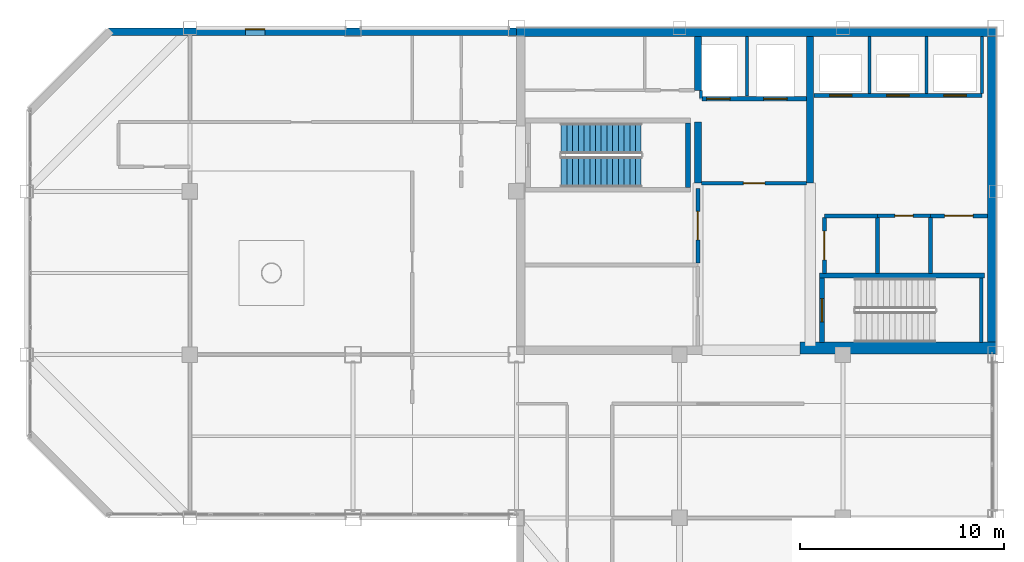
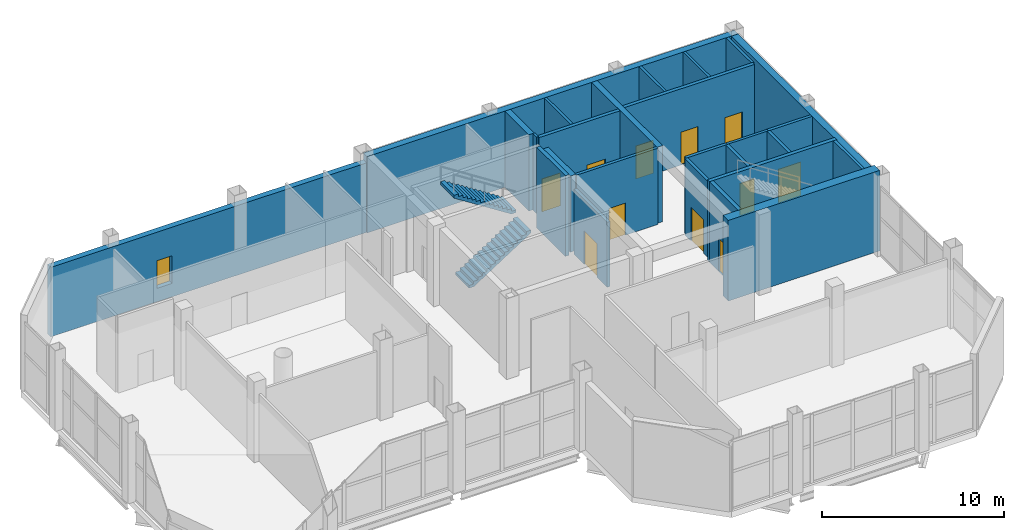
# One storey, part 13 of 17: 26 walls, 11 doors, 2 stair flights, 1 window, 12 openings, 1 element without a shape of its own.
"""IFC4 building model written with IfcOpenShell, lengths in metres."""

import ifcopenshell
import ifcopenshell.guid

model = None  # the IFC model being written
_history = None  # IfcOwnerHistory: only IFC2X3 demands one
_inside = {}  # id of a spatial element -> (the spatial element, [elements in it])
_under = {}  # id of a project, library or spatial element -> (it, [spatial elements below it])
_declared = {}  # id of a project -> (the project, [libraries it declares])
_typed = {}  # id of a type object -> (the type object, [elements of that type])
_made_of = {}  # id of a material, layer set ... -> (it, [elements and type objects made of it])


def new_model(schema):
    """Start an empty IFC model of exactly this schema.

    Asked for "IFC4X3", IfcOpenShell would pick the latest addendum, in which some entities
    have other attributes; the version numbers below select the first issue.
    IFC2X3 requires an IfcOwnerHistory on every rooted entity: one is made here for all.
    """
    global model, _history
    if schema == "IFC4X3":
        model = ifcopenshell.file(schema_version=(4, 3, 0, 0))
    else:
        model = ifcopenshell.file(schema=schema)
    _inside.clear()
    _under.clear()
    _declared.clear()
    _typed.clear()
    _made_of.clear()
    _history = None
    if model.schema == "IFC2X3":
        org = make("IfcOrganization", Name="unknown")
        user = make(
            "IfcPersonAndOrganization",
            ThePerson=make("IfcPerson", FamilyName="unknown"),
            TheOrganization=org,
        )
        app = make(
            "IfcApplication",
            ApplicationDeveloper=org,
            Version="unknown",
            ApplicationFullName="unknown",
            ApplicationIdentifier="unknown",
        )
        _history = make(
            "IfcOwnerHistory",
            OwningUser=user,
            OwningApplication=app,
            ChangeAction="ADDED",
            CreationDate=0,
        )
    return model


def make(cls, **values):
    """One entity of the class cls with the attributes given. An attribute that is None is left unset."""
    return model.create_entity(
        cls, **{name: value for name, value in values.items() if value is not None}
    )


def rooted(cls, **values):
    """An entity with a GlobalId (a new one), such as an element, a storey or a relation."""
    return make(cls, GlobalId=ifcopenshell.guid.new(), OwnerHistory=_history, **values)


def si_unit(unit_type, name, prefix=None):
    """IfcSIUnit, for example si_unit("LENGTHUNIT", "METRE", prefix="MILLI")."""
    return make("IfcSIUnit", UnitType=unit_type, Prefix=prefix, Name=name)


def assignment(units):
    """IfcUnitAssignment: the units of a project."""
    return None if units is None else make("IfcUnitAssignment", Units=units)


def point(xyz):
    """IfcCartesianPoint."""
    return None if xyz is None else make("IfcCartesianPoint", Coordinates=xyz)


def direction(xyz):
    """IfcDirection."""
    return None if xyz is None else make("IfcDirection", DirectionRatios=xyz)


def frame(location, z_axis=None, x_axis=None):
    """IfcAxis2Placement3D, a coordinate frame: its origin and axes. An axis left out is left unset."""
    return make(
        "IfcAxis2Placement3D",
        Location=point(location),
        Axis=direction(z_axis),
        RefDirection=direction(x_axis),
    )


def frame_2d(location, x_axis=None):
    """IfcAxis2Placement2D, a coordinate frame in the plane: its origin and x axis."""
    return make(
        "IfcAxis2Placement2D", Location=point(location), RefDirection=direction(x_axis)
    )


def origin():
    """The frame at (0, 0, 0) with its axes left unset."""
    return frame((0.0, 0.0, 0.0))


def place(relative_to, where):
    """IfcLocalPlacement: puts the frame where relative to a parent placement (None: the world)."""
    return make(
        "IfcLocalPlacement", PlacementRelTo=relative_to, RelativePlacement=where
    )


def context(
    kind, dimensions, precision=None, world=None, true_north=None, identifier=None
):
    """IfcGeometricRepresentationContext, for example the 3D "Model" context."""
    return make(
        "IfcGeometricRepresentationContext",
        ContextIdentifier=identifier,
        ContextType=kind,
        CoordinateSpaceDimension=dimensions,
        Precision=precision,
        WorldCoordinateSystem=world,
        TrueNorth=true_north,
    )


def subcontext(parent, identifier, kind, view, scale=None):
    """IfcGeometricRepresentationSubContext, for example "Body" below "Model"."""
    return make(
        "IfcGeometricRepresentationSubContext",
        ContextIdentifier=identifier,
        ContextType=kind,
        ParentContext=parent,
        TargetScale=scale,
        TargetView=view,
    )


def project(units=None, contexts=None):
    """IfcProject with its units and contexts."""
    return rooted(
        "IfcProject",
        Name="project",
        RepresentationContexts=contexts,
        UnitsInContext=assignment(units),
    )


def spatial(cls, under=None, at=None, **own):
    """A site, building, storey or space (cls), placed at a placement, below another one or the project."""
    s = rooted(cls, ObjectPlacement=at, **own)
    if under is not None:
        _under.setdefault(under.id(), (under, []))[1].append(s)
    return s


def polyline(points):
    """IfcPolyline through the points."""
    return make("IfcPolyline", Points=[point(p) for p in points])


def profile(cls, at=None, kind="AREA", **sizes):
    """A parametric profile (cls). Its sizes go by their IFC names, for example OverallWidth=200.0."""
    return make(cls, ProfileType=kind, Position=at, **sizes)


def rectangle(**sizes):
    """IfcRectangleProfileDef."""
    return profile("IfcRectangleProfileDef", **sizes)


def outline(outer, holes=None, kind="AREA"):
    """IfcArbitraryClosedProfileDef: a profile drawn as a closed curve; with holes, ...WithVoids."""
    if holes is None:
        return make("IfcArbitraryClosedProfileDef", ProfileType=kind, OuterCurve=outer)
    return make(
        "IfcArbitraryProfileDefWithVoids",
        ProfileType=kind,
        OuterCurve=outer,
        InnerCurves=holes,
    )


def extrude(swept, where, along, depth):
    """IfcExtrudedAreaSolid: the profile swept, set in the frame where, extruded along a direction by depth."""
    return make(
        "IfcExtrudedAreaSolid",
        SweptArea=swept,
        Position=where,
        ExtrudedDirection=direction(along),
        Depth=depth,
    )


def shape(context_of_items, identifier, shape_type, items):
    """IfcShapeRepresentation: the items that make up one representation, for example the "Body"."""
    return make(
        "IfcShapeRepresentation",
        ContextOfItems=context_of_items,
        RepresentationIdentifier=identifier,
        RepresentationType=shape_type,
        Items=items,
    )


def material(Name=None, Category=None):
    """IfcMaterial."""
    return make("IfcMaterial", Name=Name, Category=Category)


def layer(
    of_material, thickness, ventilated=None, Name=None, Category=None, Priority=None
):
    """IfcMaterialLayer: one layer of a wall or slab, of a material (None: an air gap)."""
    return make(
        "IfcMaterialLayer",
        Material=of_material,
        LayerThickness=thickness,
        IsVentilated=ventilated,
        Name=Name,
        Category=Category,
        Priority=Priority,
    )


def layer_set(layers, Name=None):
    """IfcMaterialLayerSet."""
    return make("IfcMaterialLayerSet", MaterialLayers=layers, LayerSetName=Name)


def made_of(thing, what):
    """Note that an element or type object is made of a material, layer set ...; save() writes the relation."""
    if what is not None:
        _made_of.setdefault(what.id(), (what, []))[1].append(thing)
    return thing


def type_object(cls, material=None, **own):
    """A type object (cls), such as IfcWallType, which elements share."""
    return made_of(rooted(cls, **own), material)


def element(
    cls,
    number,
    at=None,
    inside=None,
    cuts=None,
    type_object=None,
    material=None,
    context=None,
    identifier="Body",
    shape_type=None,
    held_by="IfcProductDefinitionShape",
    body=None,
    shapes=None,
    **own,
):
    """One element of the class cls, such as IfcWall. Its Tag is "e" and its number.

    at: its placement. inside: the storey or other place that contains it. cuts: it is an
    opening in that element (IfcRelVoidsElement). A single representation is given by context,
    identifier, shape_type and body (its items); several are given by shapes. held_by: the class
    of the entity that holds the representations. save() writes the other relations.
    """
    e = rooted(cls, Tag="e%d" % number, ObjectPlacement=at, **own)
    if body is not None:
        shapes = [shape(context, identifier, shape_type, body)]
    if shapes is not None:
        e.Representation = make(held_by, Representations=shapes)
    if inside is not None:
        _inside.setdefault(inside.id(), (inside, []))[1].append(e)
    if cuts is not None:
        rooted(
            "IfcRelVoidsElement", RelatingBuildingElement=cuts, RelatedOpeningElement=e
        )
    if type_object is not None:
        _typed.setdefault(type_object.id(), (type_object, []))[1].append(e)
    return made_of(e, material)


def fill(opening, filler):
    """IfcRelFillsElement: the door or window that sits in an opening."""
    return rooted(
        "IfcRelFillsElement",
        RelatingOpeningElement=opening,
        RelatedBuildingElement=filler,
    )


def aggregate(whole, parts):
    """IfcRelAggregates: a whole, such as a stair, and the parts it consists of."""
    return rooted("IfcRelAggregates", RelatingObject=whole, RelatedObjects=parts)


def save(model, path):
    """Write the relations noted so far, then the file.

    IfcRelAggregates (storeys below a building ...), IfcRelContainedInSpatialStructure (elements
    in a storey), IfcRelDefinesByType, IfcRelAssociatesMaterial and IfcRelDeclares: one each for
    every whole, place, type object, material and project.
    """
    for whole, parts in _under.values():
        aggregate(whole, parts)
    for where, things in _inside.values():
        rooted(
            "IfcRelContainedInSpatialStructure",
            RelatedElements=things,
            RelatingStructure=where,
        )
    for kind, things in _typed.values():
        rooted("IfcRelDefinesByType", RelatedObjects=things, RelatingType=kind)
    for what, things in _made_of.values():
        rooted("IfcRelAssociatesMaterial", RelatedObjects=things, RelatingMaterial=what)
    for by, libraries in _declared.values():
        rooted("IfcRelDeclares", RelatingContext=by, RelatedDefinitions=libraries)
    model.write(path)


model = new_model("IFC4")

# Units and contexts
model_context = context("Model", 3, precision=1e-05, world=origin(), true_north=direction((0.0, 1.0)))
body_context = subcontext(model_context, "Body", "Model", "MODEL_VIEW")
ifc_project = project(units=[si_unit("LENGTHUNIT", "METRE"), si_unit("AREAUNIT", "SQUARE_METRE"), si_unit("VOLUMEUNIT", "CUBIC_METRE"), si_unit("PLANEANGLEUNIT", "RADIAN"), si_unit("MASSUNIT", "GRAM", prefix="KILO")], contexts=[model_context])

# Site, building, storey
site_placement = place(None, origin())
site = spatial("IfcSite", under=ifc_project, at=site_placement, CompositionType="ELEMENT")
building_placement = place(site_placement, origin())
building = spatial("IfcBuilding", under=site, at=building_placement, Name="Qianrong Seaharbour Tower", CompositionType="ELEMENT")
storey_placement = place(building_placement, frame((0.0, 0.0, 373.0)))
storey = spatial("IfcBuildingStorey", under=building, at=storey_placement, Name="L90", CompositionType="ELEMENT", Elevation=373.0)

# Walls
ifc_material_1 = material(Name="Concrete C50/60", Category="concrete")
ifc_layer_1 = layer(ifc_material_1, 0.419921875)
ifc_layer_set_1 = layer_set([ifc_layer_1], Name="Concrete C50/60")
wall_type_1 = type_object("IfcWallType", Name="WALL-CORE-420", PredefinedType="SHEAR", material=ifc_layer_set_1)
wall_1_placement = place(storey_placement, frame((40.5, 51.7900390625, 0.0), z_axis=(0.0, 0.0, 1.0), x_axis=(1.0, 0.0, 0.0)))
element("IfcWall", 1, at=wall_1_placement, inside=storey, type_object=wall_type_1, Name="L90 North Core Shear Wall", PredefinedType="SHEAR", context=body_context, shape_type="SweptSolid", body=[
    extrude(rectangle(XDim=23.5, YDim=0.419921875, at=frame_2d((11.75, 0.0))), origin(), (0.0, 0.0, 1.0), 5.110107421875),
])
wall_2_placement = place(storey_placement, frame((63.7900390625, 36.320068359375, 0.0), z_axis=(0.0, 0.0, 1.0), x_axis=(0.0, 1.0, 0.0)))
element("IfcWall", 2, at=wall_2_placement, inside=storey, type_object=wall_type_1, Name="L90 East Core Shear Wall", PredefinedType="SHEAR", context=body_context, shape_type="SweptSolid", body=[
    extrude(rectangle(XDim=15.260009765625, YDim=0.419921875, at=frame_2d((7.6298828125, 0.0))), origin(), (0.0, 0.0, 1.0), 5.110107421875),
])
ifc_material_2 = material(Name="Concrete C70/85", Category="concrete")
ifc_layer_2 = layer(ifc_material_2, 0.580078125)
ifc_layer_set_2 = layer_set([ifc_layer_2], Name="Concrete C70/85")
wall_type_2 = type_object("IfcWallType", Name="WALL-CORE-580", PredefinedType="SHEAR", material=ifc_layer_set_2)
wall_3_placement = place(storey_placement, frame((54.39990234375, 36.320068359375, 0.0), z_axis=(0.0, 0.0, 1.0), x_axis=(1.0, 0.0, 0.0)))
element("IfcWall", 3, at=wall_3_placement, inside=storey, type_object=wall_type_2, Name="L90 South Core Shear Wall S3", PredefinedType="SHEAR", context=body_context, shape_type="SweptSolid", body=[
    extrude(rectangle(XDim=9.60009765625, YDim=0.580078125, at=frame_2d((4.800048828125, 0.0))), origin(), (0.0, 0.0, 1.0), 5.39990234375),
])
ifc_layer_3 = layer(ifc_material_1, 0.35009765625)
ifc_layer_set_3 = layer_set([ifc_layer_3], Name="Concrete C50/60")
wall_type_3 = type_object("IfcWallType", Name="WALL-CORE-INT-350", PredefinedType="SHEAR", material=ifc_layer_set_3)
wall_4_placement = place(storey_placement, frame((49.39990234375, 44.39990234375, 0.0), z_axis=(0.0, 0.0, 1.0), x_axis=(0.0, 1.0, 0.0)))
element("IfcWall", 4, at=wall_4_placement, inside=storey, type_object=wall_type_3, Name="L90 Internal Core Shear Wall IW1N1", PredefinedType="SHEAR", context=body_context, shape_type="SweptSolid", body=[
    extrude(rectangle(XDim=3.0, YDim=0.35009765625, at=frame_2d((1.5, 0.0))), origin(), (0.0, 0.0, 1.0), 5.110107421875),
])
wall_5_placement = place(storey_placement, frame((49.39990234375, 48.949951171875, 0.0), z_axis=(0.0, 0.0, 1.0), x_axis=(0.0, 1.0, 0.0)))
element("IfcWall", 5, at=wall_5_placement, inside=storey, type_object=wall_type_3, Name="L90 Internal Core Shear Wall IW1N2", PredefinedType="SHEAR", context=body_context, shape_type="SweptSolid", body=[
    extrude(rectangle(XDim=2.630126953125, YDim=0.35009765625, at=frame_2d((1.31494140625, 0.0))), origin(), (0.0, 0.0, 1.0), 5.110107421875),
])
wall_6_placement = place(storey_placement, frame((54.89990234375, 44.39990234375, 0.0), z_axis=(0.0, 0.0, 1.0), x_axis=(0.0, 1.0, 0.0)))
element("IfcWall", 6, at=wall_6_placement, inside=storey, type_object=wall_type_3, Name="L90 Internal Core Shear Wall IW2N", PredefinedType="SHEAR", context=body_context, shape_type="SweptSolid", body=[
    extrude(rectangle(XDim=7.18017578125, YDim=0.35009765625, at=frame_2d((3.590087890625, 0.0))), origin(), (0.0, 0.0, 1.0), 5.110107421875),
])

# Wall, opening, door
ifc_material_3 = material(Name="Fire-rated acoustic gypsum board partition")
ifc_layer_4 = layer(ifc_material_3, 0.1650390625)
ifc_layer_set_4 = layer_set([ifc_layer_4], Name="Fire-rated acoustic gypsum board partition")
wall_type_4 = type_object("IfcWallType", Name="WALL-CORR-PART-165", PredefinedType="PARTITIONING", material=ifc_layer_set_4)
wall_7_placement = place(storey_placement, frame((60.800048828125, 42.800048828125, 0.0), z_axis=(0.0, 0.0, 1.0), x_axis=(-1.0, 0.0, 0.0)))
wall_7 = element("IfcWall", 7, at=wall_7_placement, inside=storey, type_object=wall_type_4, Name="L90 Interior Partition Wall 015", PredefinedType="PARTITIONING", context=body_context, shape_type="SweptSolid", body=[
    extrude(rectangle(XDim=2.60009765625, YDim=0.1650390625, at=frame_2d((1.300048828125, 0.0))), origin(), (0.0, 0.0, 1.0), 5.110107421875),
])
opening_1_placement = place(wall_7_placement, frame((0.85009765625, 0.0, 0.0)))
opening_1 = element("IfcOpeningElement", 8, at=opening_1_placement, cuts=wall_7, Name="Opening DS-01", PredefinedType="OPENING", context=body_context, shape_type="SweptSolid", body=[
    extrude(rectangle(XDim=0.89990234375, YDim=2.14990234375, at=frame_2d((0.449951171875, 1.074951171875))), frame((0.0, 0.092529296875, 0.0), z_axis=(0.0, -1.0, 0.0), x_axis=(1.0, 0.0, 0.0)), (0.0, 0.0, 1.0), 0.18505859375),
])
ifc_material_4 = material(Name="Acoustic timber and galvanized steel fire door assembly", Category="steel")
door_type_1 = type_object("IfcDoorType", Name="DOOR-STORE-900x2150", OperationType="NOTDEFINED", PredefinedType="DOOR", material=ifc_material_4)
door_1_placement = place(opening_1_placement, origin())
door_1 = element("IfcDoor", 9, at=door_1_placement, inside=storey, type_object=door_type_1, Name="L90 Supply Store Room Door", OperationType="SINGLE_SWING_LEFT", OverallHeight=2.14990234375, OverallWidth=0.89990234375, PredefinedType="DOOR", context=body_context, shape_type="SweptSolid", body=[
    extrude(rectangle(XDim=0.89990234375, YDim=2.14990234375, at=frame_2d((0.449951171875, 1.074951171875))), frame((0.0, 0.02490234375, 0.0), z_axis=(0.0, -1.0, 0.0), x_axis=(1.0, 0.0, 0.0)), (0.0, 0.0, 1.0), 0.050048828125),
])
fill(opening_1, door_1)

# Wall, opening, window
ifc_material_5 = material(Name="Unitised red brick on Precast concrete C45/55", Category="masonry")
ifc_layer_5 = layer(ifc_material_5, 0.360107421875)
ifc_layer_set_5 = layer_set([ifc_layer_5], Name="Unitised red brick on Precast concrete C45/55")
wall_type_5 = type_object("IfcWallType", Name="WALL-EXT-BRICK-RED-360", PredefinedType="SOLIDWALL", material=ifc_layer_set_5)
wall_8_placement = place(storey_placement, frame((20.5, 51.820068359375, 0.0), z_axis=(0.0, 0.0, 1.0), x_axis=(1.0, 0.0, 0.0)))
wall_8 = element("IfcWall", 10, at=wall_8_placement, inside=storey, type_object=wall_type_5, Name="L90 Exterior Masonry Facade Wall NORTH_WING", PredefinedType="SOLIDWALL", context=body_context, shape_type="SweptSolid", body=[
    extrude(rectangle(XDim=20.02001953125, YDim=0.360107421875, at=frame_2d((10.010009765625, 0.0))), origin(), (0.0, 0.0, 1.0), 4.659912109375),
])
opening_2_placement = place(wall_8_placement, frame((6.72509765625, 0.0, 0.89990234375)))
opening_2 = element("IfcOpeningElement", 11, at=opening_2_placement, cuts=wall_8, Name="Opening WN-13", PredefinedType="OPENING", context=body_context, shape_type="SweptSolid", body=[
    extrude(rectangle(XDim=0.949951171875, YDim=1.85009765625, at=frame_2d((0.47509765625, 0.925048828125))), frame((0.0, 0.18994140625, 0.0), z_axis=(0.0, -1.0, 0.0), x_axis=(1.0, 0.0, 0.0)), (0.0, 0.0, 1.0), 0.380126953125),
])
ifc_material_6 = material(Name="Insulated low-e double glazing in thermally broken aluminium 6063-T6 frame", Category="aluminium")
window_type = type_object("IfcWindowType", Name="WIN-NARROW-950x1850", PartitioningType="SINGLE_PANEL", PredefinedType="WINDOW", material=ifc_material_6)
window_placement = place(opening_2_placement, origin())
window = element("IfcWindow", 12, at=window_placement, inside=storey, type_object=window_type, Name="L90 Deep-Set Punched Window 05.02", OverallHeight=1.85009765625, OverallWidth=0.949951171875, PartitioningType="SINGLE_PANEL", PredefinedType="WINDOW", context=body_context, shape_type="SweptSolid", body=[
    extrude(rectangle(XDim=0.949951171875, YDim=1.85009765625, at=frame_2d((0.47509765625, 0.925048828125))), frame((0.0, 0.150146484375, 0.0), z_axis=(0.0, -1.0, 0.0), x_axis=(1.0, 0.0, 0.0)), (0.0, 0.0, 1.0), 0.06005859375),
])
fill(opening_2, window)

# Wall, opening, door
ifc_material_7 = material(Name="Double fire-rated gypsum board acoustic partition")
ifc_layer_6 = layer(ifc_material_7, 0.18994140625)
ifc_layer_set_6 = layer_set([ifc_layer_6], Name="Double fire-rated gypsum board acoustic partition")
wall_type_6 = type_object("IfcWallType", Name="WALL-FIRE-PART-190", PredefinedType="PARTITIONING", material=ifc_layer_set_6)
wall_9_placement = place(storey_placement, frame((54.73291015625, 44.39990234375, 0.0), z_axis=(0.0, 0.0, 1.0), x_axis=(-1.0, 0.0, 0.0)))
wall_9 = element("IfcWall", 13, at=wall_9_placement, inside=storey, type_object=wall_type_6, Name="L90 Interior Partition Wall 009", PredefinedType="PARTITIONING", context=body_context, shape_type="SweptSolid", body=[
    extrude(rectangle(XDim=5.166015625, YDim=0.18994140625, at=frame_2d((2.5830078125, 0.0))), origin(), (0.0, 0.0, 1.0), 5.110107421875),
])
opening_3_placement = place(wall_9_placement, frame((2.05810546875, 0.0, 0.0)))
opening_3 = element("IfcOpeningElement", 14, at=opening_3_placement, cuts=wall_9, Name="Opening DC-01", PredefinedType="OPENING", context=body_context, shape_type="SweptSolid", body=[
    extrude(rectangle(XDim=1.050048828125, YDim=2.14990234375, at=frame_2d((0.52490234375, 1.074951171875))), frame((0.0, 0.10498046875, 0.0), z_axis=(0.0, -1.0, 0.0), x_axis=(1.0, 0.0, 0.0)), (0.0, 0.0, 1.0), 0.2099609375),
])
door_type_2 = type_object("IfcDoorType", Name="DOOR-CORR-FD60-1050x2150", OperationType="NOTDEFINED", PredefinedType="DOOR", material=ifc_material_4)
door_2_placement = place(opening_3_placement, origin())
door_2 = element("IfcDoor", 15, at=door_2_placement, inside=storey, type_object=door_type_2, Name="L90 Firefighting Lift Lobby Door", OperationType="SINGLE_SWING_LEFT", OverallHeight=2.14990234375, OverallWidth=1.050048828125, PredefinedType="DOOR", context=body_context, shape_type="SweptSolid", body=[
    extrude(rectangle(XDim=1.050048828125, YDim=2.14990234375, at=frame_2d((0.52490234375, 1.074951171875))), frame((0.0, 0.02490234375, 0.0), z_axis=(0.0, -1.0, 0.0), x_axis=(1.0, 0.0, 0.0)), (0.0, 0.0, 1.0), 0.050048828125),
])
fill(opening_3, door_2)

wall_10_placement = place(storey_placement, frame((49.39990234375, 40.487060546875, 0.0), z_axis=(0.0, 0.0, 1.0), x_axis=(0.0, 1.0, 0.0)))
wall_10 = element("IfcWall", 16, at=wall_10_placement, inside=storey, type_object=wall_type_6, Name="L90 Interior Partition Wall 011", PredefinedType="PARTITIONING", context=body_context, shape_type="SweptSolid", body=[
    extrude(rectangle(XDim=3.662841796875, YDim=0.18994140625, at=frame_2d((1.83154296875, 0.0))), origin(), (0.0, 0.0, 1.0), 4.35205078125),
])
opening_4_placement = place(wall_10_placement, frame((1.131591796875, 0.0, 0.0)))
opening_4 = element("IfcOpeningElement", 17, at=opening_4_placement, cuts=wall_10, Name="Opening DP-01", PredefinedType="OPENING", context=body_context, shape_type="SweptSolid", body=[
    extrude(rectangle(XDim=1.39990234375, YDim=2.25, at=frame_2d((0.699951171875, 1.125))), frame((0.0, 0.10498046875, 0.0), z_axis=(0.0, -1.0, 0.0), x_axis=(1.0, 0.0, 0.0)), (0.0, 0.0, 1.0), 0.2099609375),
])
door_type_3 = type_object("IfcDoorType", Name="DOOR-PLANT-PAIR-1400x2250", OperationType="DOUBLE_DOOR_SINGLE_SWING", PredefinedType="DOOR", material=ifc_material_4)
door_3_placement = place(opening_4_placement, origin())
door_3 = element("IfcDoor", 18, at=door_3_placement, inside=storey, type_object=door_type_3, Name="L90 Telecom Server Room Door", OperationType="DOUBLE_DOOR_SINGLE_SWING", OverallHeight=2.25, OverallWidth=1.39990234375, PredefinedType="DOOR", context=body_context, shape_type="SweptSolid", body=[
    extrude(rectangle(XDim=1.39990234375, YDim=2.25, at=frame_2d((0.699951171875, 1.125))), frame((0.0, 0.02490234375, 0.0), z_axis=(0.0, -1.0, 0.0), x_axis=(1.0, 0.0, 0.0)), (0.0, 0.0, 1.0), 0.050048828125),
])
fill(opening_4, door_3)

wall_11_placement = place(storey_placement, frame((55.60009765625, 42.712890625, 0.0), z_axis=(0.0, 0.0, 1.0), x_axis=(0.0, -1.0, 0.0)))
wall_11 = element("IfcWall", 19, at=wall_11_placement, inside=storey, type_object=wall_type_6, Name="L90 Interior Partition Wall 012", PredefinedType="PARTITIONING", context=body_context, shape_type="SweptSolid", body=[
    extrude(rectangle(XDim=2.73095703125, YDim=0.18994140625, at=frame_2d((1.365478515625, 0.0))), origin(), (0.0, 0.0, 1.0), 5.110107421875),
])
opening_5_placement = place(wall_11_placement, frame((0.66552734375, 0.0, 0.0)))
opening_5 = element("IfcOpeningElement", 20, at=opening_5_placement, cuts=wall_11, Name="Opening DP-01", PredefinedType="OPENING", context=body_context, shape_type="SweptSolid", body=[
    extrude(rectangle(XDim=1.39990234375, YDim=2.25, at=frame_2d((0.699951171875, 1.125))), frame((0.0, 0.10498046875, 0.0), z_axis=(0.0, -1.0, 0.0), x_axis=(1.0, 0.0, 0.0)), (0.0, 0.0, 1.0), 0.2099609375),
])
door_4_placement = place(opening_5_placement, origin())
door_4 = element("IfcDoor", 21, at=door_4_placement, inside=storey, type_object=door_type_3, Name="L90 Core Telecom Room Door", OperationType="DOUBLE_DOOR_SINGLE_SWING", OverallHeight=2.25, OverallWidth=1.39990234375, PredefinedType="DOOR", context=body_context, shape_type="SweptSolid", body=[
    extrude(rectangle(XDim=1.39990234375, YDim=2.25, at=frame_2d((0.699951171875, 1.125))), frame((0.0, 0.02490234375, 0.0), z_axis=(0.0, -1.0, 0.0), x_axis=(1.0, 0.0, 0.0)), (0.0, 0.0, 1.0), 0.050048828125),
])
fill(opening_5, door_4)

# Wall
wall_12_placement = place(storey_placement, frame((58.199951171875, 42.800048828125, 0.0), z_axis=(0.0, 0.0, 1.0), x_axis=(-1.0, 0.0, 0.0)))
element("IfcWall", 22, at=wall_12_placement, inside=storey, type_object=wall_type_6, Name="L90 Interior Partition Wall 014", PredefinedType="PARTITIONING", context=body_context, shape_type="SweptSolid", body=[
    extrude(rectangle(XDim=2.599853515625, YDim=0.18994140625, at=frame_2d((1.2998046875, 0.0))), origin(), (0.0, 0.0, 1.0), 5.110107421875),
])

# Wall, opening, door
wall_13_placement = place(storey_placement, frame((63.580078125, 42.800048828125, 0.0), z_axis=(0.0, 0.0, 1.0), x_axis=(-1.0, 0.0, 0.0)))
wall_13 = element("IfcWall", 23, at=wall_13_placement, inside=storey, type_object=wall_type_6, Name="L90 Interior Partition Wall 016", PredefinedType="PARTITIONING", context=body_context, shape_type="SweptSolid", body=[
    extrude(rectangle(XDim=2.780029296875, YDim=0.18994140625, at=frame_2d((1.39013671875, 0.0))), origin(), (0.0, 0.0, 1.0), 5.110107421875),
])
opening_6_placement = place(wall_13_placement, frame((0.68994140625, 0.0, 0.0)))
opening_6 = element("IfcOpeningElement", 24, at=opening_6_placement, cuts=wall_13, Name="Opening DP-01", PredefinedType="OPENING", context=body_context, shape_type="SweptSolid", body=[
    extrude(rectangle(XDim=1.39990234375, YDim=2.25, at=frame_2d((0.699951171875, 1.125))), frame((0.0, 0.10498046875, 0.0), z_axis=(0.0, -1.0, 0.0), x_axis=(1.0, 0.0, 0.0)), (0.0, 0.0, 1.0), 0.2099609375),
])
door_5_placement = place(opening_6_placement, origin())
door_5 = element("IfcDoor", 25, at=door_5_placement, inside=storey, type_object=door_type_3, Name="L90 Building Metering Room Door", OperationType="DOUBLE_DOOR_SINGLE_SWING", OverallHeight=2.25, OverallWidth=1.39990234375, PredefinedType="DOOR", context=body_context, shape_type="SweptSolid", body=[
    extrude(rectangle(XDim=1.39990234375, YDim=2.25, at=frame_2d((0.699951171875, 1.125))), frame((0.0, 0.02490234375, 0.0), z_axis=(0.0, -1.0, 0.0), x_axis=(1.0, 0.0, 0.0)), (0.0, 0.0, 1.0), 0.050048828125),
])
fill(opening_6, door_5)

# Walls
for number, where, z_axis, x_axis, name in (
    (26, (58.199951171875, 42.712890625, 0.0), (0.0, 0.0, 1.0), (0.0, -1.0, 0.0), "L90 Interior Partition Wall 018"),
    (27, (60.800048828125, 42.712890625, 0.0), (0.0, 0.0, 1.0), (0.0, -1.0, 0.0), "L90 Interior Partition Wall 019"),
):
    element("IfcWall", number, at=place(storey_placement, frame(where, z_axis=z_axis, x_axis=x_axis)), inside=storey, type_object=wall_type_6, Name=name, PredefinedType="PARTITIONING", context=body_context, shape_type="SweptSolid", body=[
        extrude(rectangle(XDim=2.73095703125, YDim=0.18994140625, at=frame_2d((1.365478515625, 0.0))), origin(), (0.0, 0.0, 1.0), 5.110107421875),
    ])
ifc_material_8 = material(Name="Fire-rated gypsum board on steel studs", Category="steel")
ifc_layer_7 = layer(ifc_material_8, 0.14990234375)
ifc_layer_set_7 = layer_set([ifc_layer_7], Name="Fire-rated gypsum board on steel studs")
wall_type_7 = type_object("IfcWallType", Name="WALL-SHAFT-DIV-150", PredefinedType="PARTITIONING", material=ifc_layer_set_7)
wall_14_placement = place(storey_placement, frame((51.800048828125, 48.669921875, 0.0), z_axis=(0.0, 0.0, 1.0), x_axis=(0.0, 1.0, 0.0)))
element("IfcWall", 28, at=wall_14_placement, inside=storey, type_object=wall_type_7, Name="L90 Firefighting Lift Shaft Divider Wall", PredefinedType="PARTITIONING", context=body_context, shape_type="SweptSolid", body=[
    extrude(rectangle(XDim=2.91015625, YDim=0.14990234375, at=frame_2d((1.455078125, 0.0))), origin(), (0.0, 0.0, 1.0), 5.110107421875),
])
wall_15_placement = place(storey_placement, frame((49.550048828125, 48.550048828125, 0.0), z_axis=(0.0, 0.0, 1.0), x_axis=(0.0, 1.0, 0.0)))
element("IfcWall", 29, at=wall_15_placement, inside=storey, type_object=wall_type_7, Name="L90 Firefighting Lift Shaft West Return Wall", PredefinedType="PARTITIONING", context=body_context, shape_type="SweptSolid", body=[
    extrude(rectangle(XDim=0.39990234375, YDim=0.14990234375, at=frame_2d((0.199951171875, 0.0))), origin(), (0.0, 0.0, 1.0), 5.110107421875),
])
for number, where, z_axis, x_axis, name in (
    (30, (57.800048828125, 48.81005859375, 0.0), (0.0, 0.0, 1.0), (0.0, 1.0, 0.0), "L90 P4 Lift Hoistway Divider 2"),
    (31, (60.60009765625, 48.81005859375, 0.0), (0.0, 0.0, 1.0), (0.0, 1.0, 0.0), "L90 P4 Lift Hoistway Divider 3"),
    (32, (63.320068359375, 48.81005859375, 0.0), (0.0, 0.0, 1.0), (0.0, 1.0, 0.0), "L90 P4 Lift Hoistway Divider 4"),
):
    element("IfcWall", number, at=place(storey_placement, frame(where, z_axis=z_axis, x_axis=x_axis)), inside=storey, type_object=wall_type_7, Name=name, PredefinedType="PARTITIONING", context=body_context, shape_type="SweptSolid", body=[
        extrude(rectangle(XDim=2.77001953125, YDim=0.14990234375, at=frame_2d((1.385009765625, 0.0))), origin(), (0.0, 0.0, 1.0), 5.110107421875),
    ])

# Wall, openings, doors
ifc_layer_8 = layer(ifc_material_8, 0.219970703125)
ifc_layer_set_8 = layer_set([ifc_layer_8], Name="Fire-rated gypsum board on steel studs")
wall_type_8 = type_object("IfcWallType", Name="WALL-SHAFT-GYP220", PredefinedType="PARTITIONING", material=ifc_layer_set_8)
wall_16_placement = place(storey_placement, frame((54.7099609375, 48.550048828125, 0.0), z_axis=(0.0, 0.0, 1.0), x_axis=(-1.0, 0.0, 0.0)))
wall_16 = element("IfcWall", 33, at=wall_16_placement, inside=storey, type_object=wall_type_8, Name="L90 Firefighting Lift Shaft Front Wall", PredefinedType="PARTITIONING", context=body_context, shape_type="SweptSolid", body=[
    extrude(rectangle(XDim=5.119873046875, YDim=0.219970703125, at=frame_2d((2.56005859375, 0.0))), origin(), (0.0, 0.0, 1.0), 5.110107421875),
])
opening_7_placement = place(wall_16_placement, frame((3.735107421875, 0.0, 0.0)))
opening_7 = element("IfcOpeningElement", 34, at=opening_7_placement, cuts=wall_16, Name="Opening LD-01", PredefinedType="OPENING", context=body_context, shape_type="SweptSolid", body=[
    extrude(rectangle(XDim=1.14990234375, YDim=2.199951171875, at=frame_2d((0.574951171875, 1.10009765625))), frame((0.0, 0.1201171875, 0.0), z_axis=(0.0, -1.0, 0.0), x_axis=(1.0, 0.0, 0.0)), (0.0, 0.0, 1.0), 0.239990234375),
])
opening_8_placement = place(wall_16_placement, frame((0.93505859375, 0.0, 0.0)))
opening_8 = element("IfcOpeningElement", 35, at=opening_8_placement, cuts=wall_16, Name="Opening LD-01", PredefinedType="OPENING", context=body_context, shape_type="SweptSolid", body=[
    extrude(rectangle(XDim=1.14990234375, YDim=2.199951171875, at=frame_2d((0.574951171875, 1.10009765625))), frame((0.0, 0.1201171875, 0.0), z_axis=(0.0, -1.0, 0.0), x_axis=(1.0, 0.0, 0.0)), (0.0, 0.0, 1.0), 0.239990234375),
])
ifc_material_9 = material(Name="Stainless steel SUS316L bi-parting lift landing door", Category="steel")
door_type_4 = type_object("IfcDoorType", Name="DOOR-LIFT-FF-1150x2200", OperationType="DOUBLE_DOOR_SLIDING", PredefinedType="DOOR", material=ifc_material_9)
door_6_placement = place(opening_7_placement, origin())
door_6 = element("IfcDoor", 36, at=door_6_placement, inside=storey, type_object=door_type_4, Name="L90 FL-1 Firefighting Lift Landing Door", OperationType="DOUBLE_DOOR_SLIDING", OverallHeight=2.199951171875, OverallWidth=1.14990234375, PredefinedType="DOOR", context=body_context, shape_type="SweptSolid", body=[
    extrude(rectangle(XDim=1.14990234375, YDim=2.199951171875, at=frame_2d((0.574951171875, 1.10009765625))), frame((0.0, 0.02490234375, 0.0), z_axis=(0.0, -1.0, 0.0), x_axis=(1.0, 0.0, 0.0)), (0.0, 0.0, 1.0), 0.050048828125),
])
fill(opening_7, door_6)
door_7_placement = place(opening_8_placement, origin())
door_7 = element("IfcDoor", 37, at=door_7_placement, inside=storey, type_object=door_type_4, Name="L90 FL-2 Firefighting Lift Landing Door", OperationType="DOUBLE_DOOR_SLIDING", OverallHeight=2.199951171875, OverallWidth=1.14990234375, PredefinedType="DOOR", context=body_context, shape_type="SweptSolid", body=[
    extrude(rectangle(XDim=1.14990234375, YDim=2.199951171875, at=frame_2d((0.574951171875, 1.10009765625))), frame((0.0, 0.02490234375, 0.0), z_axis=(0.0, -1.0, 0.0), x_axis=(1.0, 0.0, 0.0)), (0.0, 0.0, 1.0), 0.050048828125),
])
fill(opening_8, door_7)

wall_17_placement = place(storey_placement, frame((63.320068359375, 48.699951171875, 0.0), z_axis=(0.0, 0.0, 1.0), x_axis=(-1.0, 0.0, 0.0)))
wall_17 = element("IfcWall", 38, at=wall_17_placement, inside=storey, type_object=wall_type_8, Name="L90 P4 Lift Hoistway Front Wall", PredefinedType="PARTITIONING", context=body_context, shape_type="SweptSolid", body=[
    extrude(rectangle(XDim=8.239990234375, YDim=0.219970703125, at=frame_2d((4.1201171875, 0.0))), origin(), (0.0, 0.0, 1.0), 5.110107421875),
])
opening_9_placement = place(wall_17_placement, frame((6.3701171875, 0.0, 0.0)))
opening_9 = element("IfcOpeningElement", 39, at=opening_9_placement, cuts=wall_17, Name="Opening LD-02", PredefinedType="OPENING", context=body_context, shape_type="SweptSolid", body=[
    extrude(rectangle(XDim=1.10009765625, YDim=2.199951171875, at=frame_2d((0.550048828125, 1.10009765625))), frame((0.0, 0.1201171875, 0.0), z_axis=(0.0, -1.0, 0.0), x_axis=(1.0, 0.0, 0.0)), (0.0, 0.0, 1.0), 0.239990234375),
])
opening_10_placement = place(wall_17_placement, frame((3.570068359375, 0.0, 0.0)))
opening_10 = element("IfcOpeningElement", 40, at=opening_10_placement, cuts=wall_17, Name="Opening LD-02", PredefinedType="OPENING", context=body_context, shape_type="SweptSolid", body=[
    extrude(rectangle(XDim=1.10009765625, YDim=2.199951171875, at=frame_2d((0.550048828125, 1.10009765625))), frame((0.0, 0.1201171875, 0.0), z_axis=(0.0, -1.0, 0.0), x_axis=(1.0, 0.0, 0.0)), (0.0, 0.0, 1.0), 0.239990234375),
])
opening_11_placement = place(wall_17_placement, frame((0.77001953125, 0.0, 0.0)))
opening_11 = element("IfcOpeningElement", 41, at=opening_11_placement, cuts=wall_17, Name="Opening LD-02", PredefinedType="OPENING", context=body_context, shape_type="SweptSolid", body=[
    extrude(rectangle(XDim=1.10009765625, YDim=2.199951171875, at=frame_2d((0.550048828125, 1.10009765625))), frame((0.0, 0.1201171875, 0.0), z_axis=(0.0, -1.0, 0.0), x_axis=(1.0, 0.0, 0.0)), (0.0, 0.0, 1.0), 0.239990234375),
])
door_type_5 = type_object("IfcDoorType", Name="DOOR-LIFT-PASS-1100x2200", OperationType="DOUBLE_DOOR_SLIDING", PredefinedType="DOOR", material=ifc_material_9)
door_8_placement = place(opening_9_placement, origin())
door_8 = element("IfcDoor", 42, at=door_8_placement, inside=storey, type_object=door_type_5, Name="L90 PL-4A Lift Landing Door", OperationType="DOUBLE_DOOR_SLIDING", OverallHeight=2.199951171875, OverallWidth=1.10009765625, PredefinedType="DOOR", context=body_context, shape_type="SweptSolid", body=[
    extrude(rectangle(XDim=1.10009765625, YDim=2.199951171875, at=frame_2d((0.550048828125, 1.10009765625))), frame((0.0, 0.02490234375, 0.0), z_axis=(0.0, -1.0, 0.0), x_axis=(1.0, 0.0, 0.0)), (0.0, 0.0, 1.0), 0.050048828125),
])
fill(opening_9, door_8)
door_9_placement = place(opening_10_placement, origin())
door_9 = element("IfcDoor", 43, at=door_9_placement, inside=storey, type_object=door_type_5, Name="L90 PL-4B Lift Landing Door", OperationType="DOUBLE_DOOR_SLIDING", OverallHeight=2.199951171875, OverallWidth=1.10009765625, PredefinedType="DOOR", context=body_context, shape_type="SweptSolid", body=[
    extrude(rectangle(XDim=1.10009765625, YDim=2.199951171875, at=frame_2d((0.550048828125, 1.10009765625))), frame((0.0, 0.02490234375, 0.0), z_axis=(0.0, -1.0, 0.0), x_axis=(1.0, 0.0, 0.0)), (0.0, 0.0, 1.0), 0.050048828125),
])
fill(opening_10, door_9)
door_10_placement = place(opening_11_placement, origin())
door_10 = element("IfcDoor", 44, at=door_10_placement, inside=storey, type_object=door_type_5, Name="L90 PL-4C Lift Landing Door", OperationType="DOUBLE_DOOR_SLIDING", OverallHeight=2.199951171875, OverallWidth=1.10009765625, PredefinedType="DOOR", context=body_context, shape_type="SweptSolid", body=[
    extrude(rectangle(XDim=1.10009765625, YDim=2.199951171875, at=frame_2d((0.550048828125, 1.10009765625))), frame((0.0, 0.02490234375, 0.0), z_axis=(0.0, -1.0, 0.0), x_axis=(1.0, 0.0, 0.0)), (0.0, 0.0, 1.0), 0.050048828125),
])
fill(opening_11, door_10)

# Walls
ifc_layer_9 = layer(ifc_material_1, 0.239990234375)
ifc_layer_set_9 = layer_set([ifc_layer_9], Name="Concrete C50/60")
wall_type_9 = type_object("IfcWallType", Name="WALL-SHAFT-RC240", PredefinedType="SOLIDWALL", material=ifc_layer_set_9)
wall_18_placement = place(storey_placement, frame((48.919921875, 44.199951171875, 0.0), z_axis=(0.0, 0.0, 1.0), x_axis=(0.0, 1.0, 0.0)))
element("IfcWall", 45, at=wall_18_placement, inside=storey, type_object=wall_type_9, Name="L90 ST-1 Structural Stair Core Wall E", PredefinedType="SOLIDWALL", context=body_context, shape_type="SweptSolid", body=[
    extrude(rectangle(XDim=3.150146484375, YDim=0.239990234375, at=frame_2d((1.5751953125, 0.0))), origin(), (0.0, 0.0, 1.0), 5.39990234375),
])
wall_19_placement = place(storey_placement, frame((55.360107421875, 39.8701171875, 0.0), z_axis=(0.0, 0.0, 1.0), x_axis=(1.0, 0.0, 0.0)))
element("IfcWall", 46, at=wall_19_placement, inside=storey, type_object=wall_type_9, Name="L90 ST-2 Structural Stair Core Wall N", PredefinedType="SOLIDWALL", context=body_context, shape_type="SweptSolid", body=[
    extrude(rectangle(XDim=8.079833984375, YDim=0.239990234375, at=frame_2d((4.0400390625, 0.0))), origin(), (0.0, 0.0, 1.0), 5.39990234375),
])

# Wall, opening, door
wall_20_placement = place(storey_placement, frame((55.47998046875, 39.75, 0.0), z_axis=(0.0, 0.0, 1.0), x_axis=(0.0, -1.0, 0.0)))
wall_20 = element("IfcWall", 47, at=wall_20_placement, inside=storey, type_object=wall_type_9, Name="L90 ST-2 Structural Stair Core Wall W", PredefinedType="SOLIDWALL", context=body_context, shape_type="SweptSolid", body=[
    extrude(rectangle(XDim=3.14990234375, YDim=0.239990234375, at=frame_2d((1.574951171875, 0.0))), origin(), (0.0, 0.0, 1.0), 5.39990234375),
])
opening_12_placement = place(wall_20_placement, frame((1.0, 0.0, 0.0)))
opening_12 = element("IfcOpeningElement", 48, at=opening_12_placement, cuts=wall_20, Name="Opening SD-01", PredefinedType="OPENING", context=body_context, shape_type="SweptSolid", body=[
    extrude(rectangle(XDim=1.14990234375, YDim=2.199951171875, at=frame_2d((0.574951171875, 1.10009765625))), frame((0.0, 0.1298828125, 0.0), z_axis=(0.0, -1.0, 0.0), x_axis=(1.0, 0.0, 0.0)), (0.0, 0.0, 1.0), 0.260009765625),
])
door_type_6 = type_object("IfcDoorType", Name="DOOR-STAIR-FD60-1150x2200", OperationType="NOTDEFINED", PredefinedType="DOOR", material=ifc_material_4)
door_11_placement = place(opening_12_placement, origin())
door_11 = element("IfcDoor", 49, at=door_11_placement, inside=storey, type_object=door_type_6, Name="L90 ST-2 Protected Stair Door", OperationType="SINGLE_SWING_LEFT", OverallHeight=2.199951171875, OverallWidth=1.14990234375, PredefinedType="DOOR", context=body_context, shape_type="SweptSolid", body=[
    extrude(rectangle(XDim=1.14990234375, YDim=2.199951171875, at=frame_2d((0.574951171875, 1.10009765625))), frame((0.0, 0.02490234375, 0.0), z_axis=(0.0, -1.0, 0.0), x_axis=(1.0, 0.0, 0.0)), (0.0, 0.0, 1.0), 0.050048828125),
])
fill(opening_12, door_11)

# Wall
wall_21_placement = place(storey_placement, frame((63.2900390625, 36.60009765625, 0.0), z_axis=(0.0, 0.0, 1.0), x_axis=(0.0, 1.0, 0.0)))
element("IfcWall", 50, at=wall_21_placement, inside=storey, type_object=wall_type_9, Name="L90 ST-2 Structural Stair Core Wall E", PredefinedType="SOLIDWALL", context=body_context, shape_type="SweptSolid", body=[
    extrude(rectangle(XDim=3.14990234375, YDim=0.179931640625, at=frame_2d((1.574951171875, 0.0))), origin(), (0.0, 0.0, 1.0), 5.39990234375),
])

# Stair, stair flights
stair_type = type_object("IfcStairType", Name="STAIR-DOGLEG-1500-R30", PredefinedType="HALF_TURN_STAIR", material=ifc_material_1)
stair_placement = place(storey_placement, origin())
stair = element("IfcStair", 51, at=stair_placement, inside=storey, type_object=stair_type, Name="L90 Protected Escape Stair ST-1", PredefinedType="HALF_TURN_STAIR")
stair_flight_type = type_object("IfcStairFlightType", Name="FLIGHT-STR-1500-R30", PredefinedType="STRAIGHT", material=ifc_material_1)
stair_flight_1_placement = place(storey_placement, frame((42.699951171875, 44.949951171875, 0.0), z_axis=(0.0, 0.0, 1.0), x_axis=(1.0, 0.0, 0.0)))
stair_flight_1 = element("IfcStairFlight", 52, at=stair_flight_1_placement, type_object=stair_flight_type, Name="ST-1 flight 1", NumberOfRisers=15, NumberOfTreads=14, PredefinedType="STRAIGHT", RiserHeight=0.18, TreadLength=0.28, context=body_context, shape_type="SweptSolid", body=[
    extrude(outline(polyline([(0.0, 0.0), (0.0, 0.179931640625), (0.280029296875, 0.179931640625), (0.280029296875, 0.360107421875), (0.56005859375, 0.360107421875), (0.56005859375, 0.5400390625), (0.840087890625, 0.5400390625), (0.840087890625, 0.719970703125), (1.1201171875, 0.719970703125), (1.1201171875, 0.89990234375), (1.39990234375, 0.89990234375), (1.39990234375, 1.080078125), (1.679931640625, 1.080078125), (1.679931640625, 1.260009765625), (1.9599609375, 1.260009765625), (1.9599609375, 1.43994140625), (2.239990234375, 1.43994140625), (2.239990234375, 1.6201171875), (2.52001953125, 1.6201171875), (2.52001953125, 1.800048828125), (2.800048828125, 1.800048828125), (2.800048828125, 1.97998046875), (3.080078125, 1.97998046875), (3.080078125, 2.159912109375), (3.360107421875, 2.159912109375), (3.360107421875, 2.340087890625), (3.639892578125, 2.340087890625), (3.639892578125, 2.52001953125), (3.919921875, 2.52001953125), (3.919921875, 2.699951171875), (3.919921875, 2.329833984375), (0.295654296875, 0.0), (0.0, 0.0)])), frame((0.0, 0.75, 0.0), z_axis=(0.0, -1.0, 0.0), x_axis=(1.0, 0.0, 0.0)), (0.0, 0.0, 1.0), 1.5),
])
stair_flight_2_placement = place(storey_placement, frame((46.6201171875, 46.60009765625, 2.699951171875), z_axis=(0.0, 0.0, 1.0), x_axis=(-1.0, 0.0, 0.0)))
stair_flight_2 = element("IfcStairFlight", 53, at=stair_flight_2_placement, type_object=stair_flight_type, Name="ST-1 flight 2", NumberOfRisers=15, NumberOfTreads=14, PredefinedType="STRAIGHT", RiserHeight=0.18, TreadLength=0.28, context=body_context, shape_type="SweptSolid", body=[
    extrude(outline(polyline([(0.0, 0.0), (0.0, 0.179931640625), (0.280029296875, 0.179931640625), (0.280029296875, 0.360107421875), (0.56005859375, 0.360107421875), (0.56005859375, 0.5400390625), (0.840087890625, 0.5400390625), (0.840087890625, 0.719970703125), (1.1201171875, 0.719970703125), (1.1201171875, 0.89990234375), (1.39990234375, 0.89990234375), (1.39990234375, 1.080078125), (1.679931640625, 1.080078125), (1.679931640625, 1.260009765625), (1.9599609375, 1.260009765625), (1.9599609375, 1.43994140625), (2.239990234375, 1.43994140625), (2.239990234375, 1.6201171875), (2.52001953125, 1.6201171875), (2.52001953125, 1.800048828125), (2.800048828125, 1.800048828125), (2.800048828125, 1.97998046875), (3.080078125, 1.97998046875), (3.080078125, 2.159912109375), (3.360107421875, 2.159912109375), (3.360107421875, 2.340087890625), (3.639892578125, 2.340087890625), (3.639892578125, 2.52001953125), (3.919921875, 2.52001953125), (3.919921875, 2.699951171875), (3.919921875, 2.329833984375), (0.295654296875, 0.0), (0.0, 0.0)])), frame((0.0, 0.75, 0.0), z_axis=(0.0, -1.0, 0.0), x_axis=(1.0, 0.0, 0.0)), (0.0, 0.0, 1.0), 1.5),
])
aggregate(stair, [stair_flight_1, stair_flight_2])

save(model, "model.ifc")
